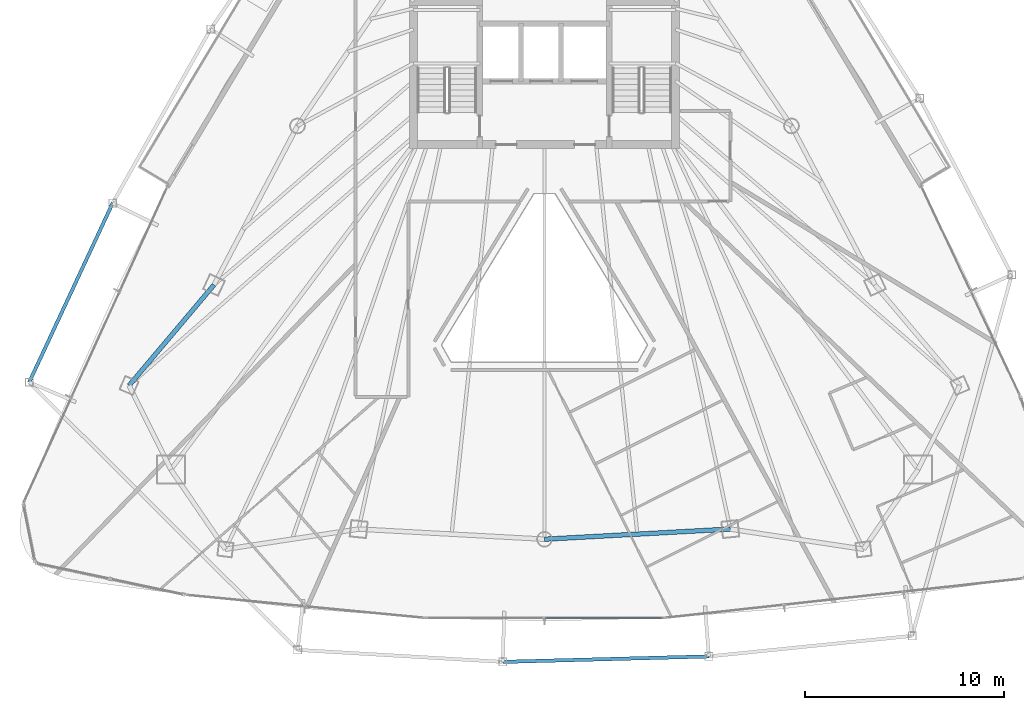
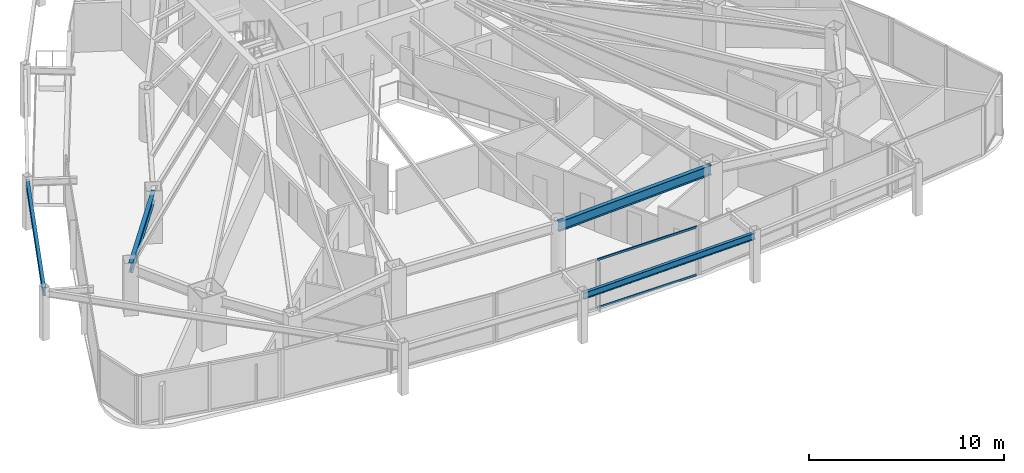
# One storey, part 8 of 31: 4 beams, 2 members, 1 element without a shape of its own.
"""IFC4 building model written with IfcOpenShell, lengths in metres."""

from ifc_helpers import new_model, si_unit, direction, frame, origin, origin_2d, place, context, subcontext, project, spatial, hollow_rectangle, i_section, extrude, material, layer, layer_set, material_profile, profile_set, type_object, element, aggregate, save


model = new_model("IFC4")

# Units and contexts
model_context = context("Model", 3, precision=1e-05, world=origin(), true_north=direction((0.0, 1.0)))
body_context = subcontext(model_context, "Body", "Model", "MODEL_VIEW")
ifc_project = project(units=[si_unit("LENGTHUNIT", "METRE"), si_unit("AREAUNIT", "SQUARE_METRE"), si_unit("VOLUMEUNIT", "CUBIC_METRE"), si_unit("PLANEANGLEUNIT", "RADIAN"), si_unit("MASSUNIT", "GRAM", prefix="KILO")], contexts=[model_context])

# Site, building, storey
site_placement = place(None, origin())
site = spatial("IfcSite", under=ifc_project, at=site_placement, CompositionType="ELEMENT")
building_placement = place(site_placement, origin())
building = spatial("IfcBuilding", under=site, at=building_placement, Name="Orvanel Arch Residences", CompositionType="ELEMENT")
storey_placement = place(building_placement, frame((0.0, 0.0, 110.0)))
storey = spatial("IfcBuildingStorey", under=building, at=storey_placement, Name="L30", CompositionType="ELEMENT", Elevation=110.0)

# Beams
ifc_material_1 = material(Name="Structural steel AS/NZS 3679.1 Grade 300 (300 MPa)", Category="steel")
ifc_material_profile_1 = material_profile(ifc_material_1, i_section(OverallWidth=0.177978515625, OverallDepth=0.406005859375, WebThickness=0.0078125, FlangeThickness=0.0126953125, at=origin_2d()), Name="410UB59.7")
ifc_profile_set_1 = profile_set([ifc_material_profile_1], Name="Structural steel AS/NZS 3679.1 Grade 300 (300 MPa)")
beam_type_1 = type_object("IfcBeamType", Name="OB-410UB-EXT", PredefinedType="SPANDREL", material=ifc_profile_set_1)
beam_1_placement = place(storey_placement, frame((11.27001953125, 23.760986328125, 2.85693359375), z_axis=(-0.42237782372, -0.906419866303, 0.0), x_axis=(0.906419866303, -0.42237782372, 0.0)))
element("IfcBeam", 1, at=beam_1_placement, inside=storey, type_object=beam_type_1, Name="L30 Outer Perimeter Floor Ring Beam 03", PredefinedType="SPANDREL", context=body_context, shape_type="SweptSolid", body=[
    extrude(i_section(OverallWidth=0.177978515625, OverallDepth=0.406005859375, WebThickness=0.0078125, FlangeThickness=0.0126953125, at=origin_2d()), origin(), (0.0, 0.0, 1.0), 9.953369140625),
])
beam_2_placement = place(storey_placement, frame((30.903076171875, 0.6708984375, 2.85693359375), z_axis=(0.999648245167, 0.026521424052, 0.0), x_axis=(-0.026521424052, 0.999648245167, 0.0)))
element("IfcBeam", 2, at=beam_2_placement, inside=storey, type_object=beam_type_1, Name="L30 Outer Perimeter Floor Ring Beam 06", PredefinedType="SPANDREL", context=body_context, shape_type="SweptSolid", body=[
    extrude(i_section(OverallWidth=0.177978515625, OverallDepth=0.406005859375, WebThickness=0.0078125, FlangeThickness=0.0126953125, at=origin_2d()), origin(), (0.0, 0.0, 1.0), 10.37451171875),
])
ifc_material_profile_2 = material_profile(ifc_material_1, i_section(OverallWidth=0.22900390625, OverallDepth=0.612060546875, WebThickness=0.011962890625, FlangeThickness=0.01953125, at=origin_2d()), Name="610UB125")
ifc_profile_set_2 = profile_set([ifc_material_profile_2], Name="Structural steel AS/NZS 3679.1 Grade 300 (300 MPa)")
beam_type_2 = type_object("IfcBeamType", Name="SP-610UB", PredefinedType="SPANDREL", material=ifc_profile_set_2)
beam_3_placement = place(storey_placement, frame((16.366943359375, 19.64208984375, 2.75390625), z_axis=(-0.644950329775, -0.764224490659, 0.0), x_axis=(0.764224490659, -0.644950329775, 0.0)))
element("IfcBeam", 3, at=beam_3_placement, inside=storey, type_object=beam_type_2, Name="L30 Perimeter Spandrel Beam 01", PredefinedType="SPANDREL", context=body_context, shape_type="SweptSolid", body=[
    extrude(i_section(OverallWidth=0.22900390625, OverallDepth=0.612060546875, WebThickness=0.011962890625, FlangeThickness=0.01953125, at=origin_2d()), origin(), (0.0, 0.0, 1.0), 6.623779296875),
])
beam_4_placement = place(storey_placement, frame((33.0, 6.843994140625, 2.75390625), z_axis=(0.998510315598, 0.054563262768, 0.0), x_axis=(-0.054563262768, 0.998510315598, 0.0)))
element("IfcBeam", 4, at=beam_4_placement, inside=storey, type_object=beam_type_2, Name="L30 Perimeter Spandrel Beam 06", PredefinedType="SPANDREL", context=body_context, shape_type="SweptSolid", body=[
    extrude(i_section(OverallWidth=0.22900390625, OverallDepth=0.612060546875, WebThickness=0.011962890625, FlangeThickness=0.01953125, at=origin_2d()), origin(), (0.0, 0.0, 1.0), 9.364990234375),
])

# Curtain wall, members
ifc_material_2 = material(Name="Bronze-anodised aluminium AA6063-T6", Category="aluminium")
ifc_layer = layer(ifc_material_2, 0.179931640625)
ifc_layer_set = layer_set([ifc_layer], Name="Bronze-anodised aluminium AA6063-T6")
curtain_wall_type = type_object("IfcCurtainWallType", Name="CW3-MID-SYS", PredefinedType="NOTDEFINED", material=ifc_layer_set)
curtain_wall_placement = place(storey_placement, origin())
curtain_wall = element("IfcCurtainWall", 5, at=curtain_wall_placement, inside=storey, type_object=curtain_wall_type, Name="L30 CW3-MID-SYS Unitised Curtain Wall", PredefinedType="NOTDEFINED")
ifc_material_profile_3 = material_profile(ifc_material_2, hollow_rectangle(XDim=0.06005859375, YDim=0.135009765625, WallThickness=0.00390625, at=origin_2d()), Name="ALU135x60x4")
ifc_profile_set_3 = profile_set([ifc_material_profile_3], Name="Bronze-anodised aluminium AA6063-T6")
member_type = type_object("IfcMemberType", Name="TRN-135x60", PredefinedType="USERDEFINED", material=ifc_profile_set_3)
member_1_placement = place(storey_placement, frame((33.034912109375, 2.87890625, 0.030029296875), z_axis=(1.0, 0.0, 0.0), x_axis=(0.0, 1.0, 0.0)))
member_1 = element("IfcMember", 6, at=member_1_placement, type_object=member_type, Name="CW-S3 transom 2.1", ObjectType="TRANSOM", PredefinedType="USERDEFINED", context=body_context, shape_type="SweptSolid", body=[
    extrude(hollow_rectangle(XDim=0.06005859375, YDim=0.135009765625, WallThickness=0.00390625, at=origin_2d()), origin(), (0.0, 0.0, 1.0), 5.898193359375),
])
member_2_placement = place(storey_placement, frame((33.034912109375, 2.87890625, 3.030029296875), z_axis=(1.0, 0.0, 0.0), x_axis=(0.0, 1.0, 0.0)))
member_2 = element("IfcMember", 7, at=member_2_placement, type_object=member_type, Name="CW-S3 transom 2.2", ObjectType="TRANSOM", PredefinedType="USERDEFINED", context=body_context, shape_type="SweptSolid", body=[
    extrude(hollow_rectangle(XDim=0.06005859375, YDim=0.135009765625, WallThickness=0.00390625, at=origin_2d()), origin(), (0.0, 0.0, 1.0), 5.898193359375),
])
aggregate(curtain_wall, [member_1, member_2])

save(model, "model.ifc")
